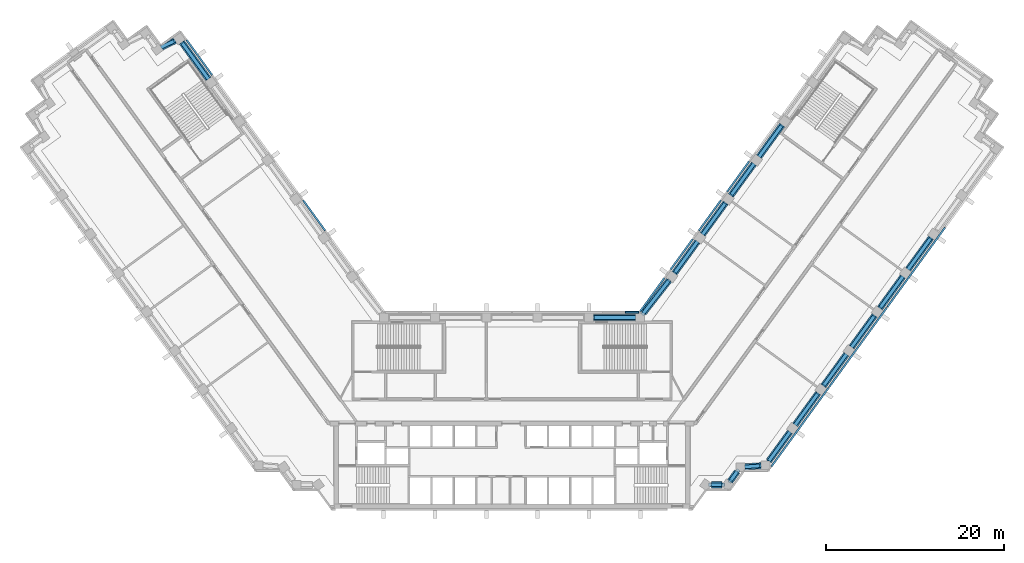
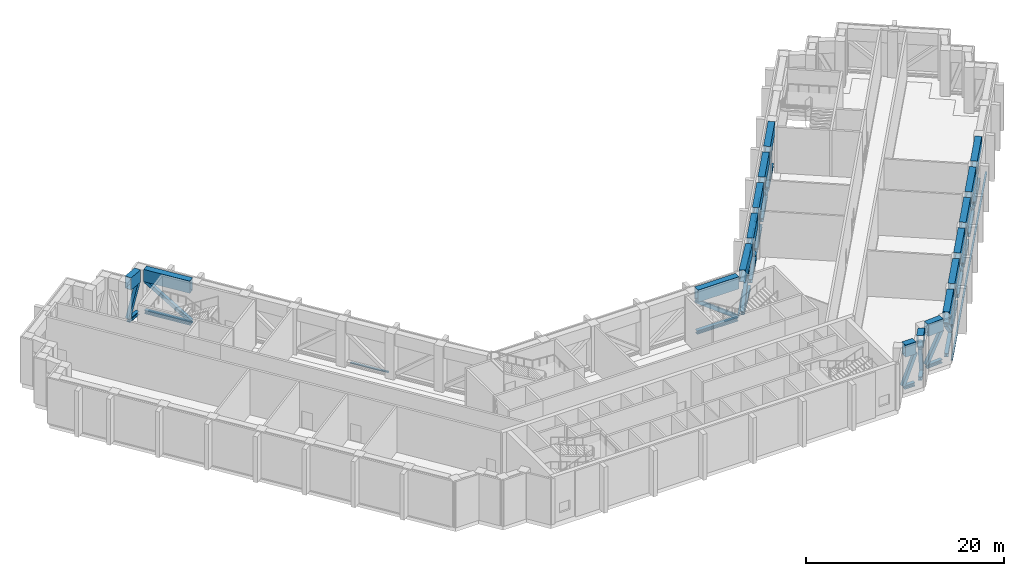
"""IFC4 building model written with IfcOpenShell, lengths in metres."""

from ifc_helpers import new_model, si_unit, direction, frame, origin, origin_2d, place, context, subcontext, project, spatial, rectangle, hollow_rectangle, i_section, extrude, material, material_profile, profile_set, type_object, element, aggregate, save


model = new_model("IFC4")

# Units and contexts
model_context = context("Model", 3, precision=1e-05, world=origin(), true_north=direction((0.0, 1.0)))
body_context = subcontext(model_context, "Body", "Model", "MODEL_VIEW")
ifc_project = project(units=[si_unit("LENGTHUNIT", "METRE"), si_unit("AREAUNIT", "SQUARE_METRE"), si_unit("VOLUMEUNIT", "CUBIC_METRE"), si_unit("PLANEANGLEUNIT", "RADIAN"), si_unit("MASSUNIT", "GRAM", prefix="KILO")], contexts=[model_context])

# Site, building, storey
site_placement = place(None, origin())
site = spatial("IfcSite", under=ifc_project, at=site_placement, CompositionType="ELEMENT")
building_placement = place(site_placement, origin())
building = spatial("IfcBuilding", under=site, at=building_placement, Name="Quipu Civic Tower", CompositionType="ELEMENT")
storey_1_placement = place(building_placement, frame((0.0, 0.0, 25.0)))
storey_1 = spatial("IfcBuildingStorey", under=building, at=storey_1_placement, Name="L05", CompositionType="ELEMENT", Elevation=25.0)

# Beams
ifc_material_1 = material(Name="Steel ASTM A992 Grade 50 (fy 345 MPa)", Category="steel")
ifc_material_profile_1 = material_profile(ifc_material_1, i_section(OverallWidth=0.41552734375, OverallDepth=0.445556640625, WebThickness=0.0390625, FlangeThickness=0.062744140625, at=origin_2d()), Name="W360x509")
ifc_profile_set_1 = profile_set([ifc_material_profile_1], Name="Steel ASTM A992 Grade 50 (fy 345 MPa)")
beam_type_1 = type_object("IfcBeamType", Name="Belt truss bottom chord W360x509", PredefinedType="BEAM", material=ifc_profile_set_1)
beam_1_placement = place(storey_1_placement, frame((-34.13671875, 37.32373046875, 0.32275390625), z_axis=(-0.587747065363, 0.809044737426, 0.0), x_axis=(-0.809044737426, -0.587747065363, 0.0)))
element("IfcBeam", 1, at=beam_1_placement, inside=storey_1, type_object=beam_type_1, Name="Truss bottom chord L05 W-IN-06 to T-Wi.0-W50", PredefinedType="BEAM", context=body_context, shape_type="SweptSolid", body=[
    extrude(i_section(OverallWidth=0.41552734375, OverallDepth=0.445556640625, WebThickness=0.0390625, FlangeThickness=0.062744140625, at=origin_2d()), origin(), (0.0, 0.0, 1.0), 5.0947265625),
])
beam_2_placement = place(storey_1_placement, frame((-37.8837890625, 41.630859375, 0.32275390625), z_axis=(-0.902482283387, -0.43072697637, 0.0), x_axis=(0.43072697637, -0.902482283387, 0.0)))
element("IfcBeam", 2, at=beam_2_placement, inside=storey_1, type_object=beam_type_1, Name="Truss bottom chord L05 T-Wi.0-W50 to T-Wi.1-W50", PredefinedType="BEAM", context=body_context, shape_type="SweptSolid", body=[
    extrude(i_section(OverallWidth=0.41552734375, OverallDepth=0.445556640625, WebThickness=0.0390625, FlangeThickness=0.062744140625, at=origin_2d()), origin(), (0.0, 0.0, 1.0), 1.731689453125),
])
beam_3_placement = place(storey_1_placement, frame((22.409912109375, -8.31494140625, 0.32275390625), z_axis=(1.0, 0.0, 0.0), x_axis=(0.0, 1.0, 0.0)))
element("IfcBeam", 3, at=beam_3_placement, inside=storey_1, type_object=beam_type_1, Name="Truss bottom chord L05 J-Eo.1 to J-Eo.2", PredefinedType="BEAM", context=body_context, shape_type="SweptSolid", body=[
    extrude(i_section(OverallWidth=0.41552734375, OverallDepth=0.445556640625, WebThickness=0.0390625, FlangeThickness=0.062744140625, at=origin_2d()), origin(), (0.0, 0.0, 1.0), 1.20703125),
])
beam_4_placement = place(storey_1_placement, frame((24.529296875, -7.91064453125, 0.32275390625), z_axis=(0.588346597772, 0.808608855313, 0.0), x_axis=(-0.808608855313, 0.588346597772, 0.0)))
element("IfcBeam", 4, at=beam_4_placement, inside=storey_1, type_object=beam_type_1, Name="Truss bottom chord L05 J-Eo.2 to J-Eo.3", PredefinedType="BEAM", context=body_context, shape_type="SweptSolid", body=[
    extrude(i_section(OverallWidth=0.41552734375, OverallDepth=0.445556640625, WebThickness=0.0390625, FlangeThickness=0.062744140625, at=origin_2d()), origin(), (0.0, 0.0, 1.0), 1.327880859375),
])
beam_5_placement = place(storey_1_placement, frame((26.17431640625, -6.30078125, 0.32275390625), z_axis=(0.997368412419, 0.072499999372, 0.0), x_axis=(-0.072499999372, 0.997368412419, 0.0)))
element("IfcBeam", 5, at=beam_5_placement, inside=storey_1, type_object=beam_type_1, Name="Truss bottom chord L05 J-Eo.3 to J-Eo.4", PredefinedType="BEAM", context=body_context, shape_type="SweptSolid", body=[
    extrude(i_section(OverallWidth=0.41552734375, OverallDepth=0.445556640625, WebThickness=0.0390625, FlangeThickness=0.062744140625, at=origin_2d()), origin(), (0.0, 0.0, 1.0), 1.85546875),
])
beam_6_placement = place(storey_1_placement, frame((28.88818359375, -5.6298828125, 0.32275390625), z_axis=(0.587811022966, 0.808998270258, 0.0), x_axis=(-0.808998270258, 0.587811022966, 0.0)))
element("IfcBeam", 6, at=beam_6_placement, inside=storey_1, type_object=beam_type_1, Name="Truss bottom chord L05 J-Eo.4 to E-OUT-01", PredefinedType="BEAM", context=body_context, shape_type="SweptSolid", body=[
    extrude(i_section(OverallWidth=0.41552734375, OverallDepth=0.445556640625, WebThickness=0.0390625, FlangeThickness=0.062744140625, at=origin_2d()), origin(), (0.0, 0.0, 1.0), 4.025390625),
])
for number, where, z_axis, x_axis, name in (
    (7, (31.84228515625, -1.564208984375, 0.32275390625), (0.587759228046, 0.809035901457, 0.0), (-0.809035901457, 0.587759228046, 0.0), "Truss bottom chord L05 E-OUT-01 to E-OUT-02"),
    (8, (35.01611328125, 2.804443359375, 0.32275390625), (0.587759228046, 0.809035901457, 0.0), (-0.809035901457, 0.587759228046, 0.0), "Truss bottom chord L05 E-OUT-02 to E-OUT-03"),
    (9, (38.190185546875, 7.173095703125, 0.32275390625), (0.58779554378, 0.809009517072, 0.0), (-0.809009517072, 0.58779554378, 0.0), "Truss bottom chord L05 E-OUT-03 to E-OUT-04"),
    (10, (41.3642578125, 11.5419921875, 0.32275390625), (0.587759228046, 0.809035901457, 0.0), (-0.809035901457, 0.587759228046, 0.0), "Truss bottom chord L05 E-OUT-04 to E-OUT-05"),
):
    element("IfcBeam", number, at=place(storey_1_placement, frame(where, z_axis=z_axis, x_axis=x_axis)), inside=storey_1, type_object=beam_type_1, Name=name, PredefinedType="BEAM", context=body_context, shape_type="SweptSolid", body=[
        extrude(i_section(OverallWidth=0.41552734375, OverallDepth=0.445556640625, WebThickness=0.0390625, FlangeThickness=0.062744140625, at=origin_2d()), origin(), (0.0, 0.0, 1.0), 4.400146484375),
    ])
beam_7_placement = place(storey_1_placement, frame((44.538330078125, 15.91064453125, 0.32275390625), z_axis=(0.587785613349, 0.809016732052, 0.0), x_axis=(-0.809016732052, 0.587785613349, 0.0)))
element("IfcBeam", 11, at=beam_7_placement, inside=storey_1, type_object=beam_type_1, Name="Truss bottom chord L05 E-OUT-05 to E-OUT-06", PredefinedType="BEAM", context=body_context, shape_type="SweptSolid", body=[
    extrude(i_section(OverallWidth=0.41552734375, OverallDepth=0.445556640625, WebThickness=0.0390625, FlangeThickness=0.062744140625, at=origin_2d()), origin(), (0.0, 0.0, 1.0), 4.39990234375),
])
for number, where, z_axis, x_axis, name in (
    (12, (30.375244140625, 32.145751953125, 0.32275390625), (-0.587759228046, -0.809035901457, 0.0), (0.809035901457, -0.587759228046, 0.0), "Truss bottom chord L05 E-IN-05 to E-IN-04"),
    (13, (27.201416015625, 27.777099609375, 0.32275390625), (-0.587732844487, -0.809055068281, 0.0), (0.809055068281, -0.587732844487, 0.0), "Truss bottom chord L05 E-IN-04 to E-IN-03"),
    (14, (24.02734375, 23.408203125, 0.32275390625), (-0.587759228046, -0.809035901457, 0.0), (0.809035901457, -0.587759228046, 0.0), "Truss bottom chord L05 E-IN-03 to E-IN-02"),
):
    element("IfcBeam", number, at=place(storey_1_placement, frame(where, z_axis=z_axis, x_axis=x_axis)), inside=storey_1, type_object=beam_type_1, Name=name, PredefinedType="BEAM", context=body_context, shape_type="SweptSolid", body=[
        extrude(i_section(OverallWidth=0.41552734375, OverallDepth=0.445556640625, WebThickness=0.0390625, FlangeThickness=0.062744140625, at=origin_2d()), origin(), (0.0, 0.0, 1.0), 4.400146484375),
    ])
beam_8_placement = place(storey_1_placement, frame((20.853515625, 19.039306640625, 0.32275390625), z_axis=(-0.587722908759, -0.809062285934, 0.0), x_axis=(0.809062285934, -0.587722908759, 0.0)))
element("IfcBeam", 15, at=beam_8_placement, inside=storey_1, type_object=beam_type_1, Name="Truss bottom chord L05 E-IN-02 to E-IN-01", PredefinedType="BEAM", context=body_context, shape_type="SweptSolid", body=[
    extrude(i_section(OverallWidth=0.41552734375, OverallDepth=0.445556640625, WebThickness=0.0390625, FlangeThickness=0.062744140625, at=origin_2d()), origin(), (0.0, 0.0, 1.0), 4.39990234375),
])
beam_9_placement = place(storey_1_placement, frame((17.665283203125, 14.680908203125, 0.32275390625), z_axis=(-0.616068753057, -0.787692383806, 0.0), x_axis=(0.787692383806, -0.616068753057, 0.0)))
element("IfcBeam", 16, at=beam_9_placement, inside=storey_1, type_object=beam_type_1, Name="Truss bottom chord L05 E-IN-01 to J-Ei.0", PredefinedType="BEAM", context=body_context, shape_type="SweptSolid", body=[
    extrude(i_section(OverallWidth=0.41552734375, OverallDepth=0.445556640625, WebThickness=0.0390625, FlangeThickness=0.062744140625, at=origin_2d()), origin(), (0.0, 0.0, 1.0), 4.673095703125),
])
beam_10_placement = place(storey_1_placement, frame((13.895263671875, 10.5, 0.32275390625), z_axis=(-1.0, 0.0, 0.0), x_axis=(0.0, -1.0, 0.0)))
element("IfcBeam", 17, at=beam_10_placement, inside=storey_1, type_object=beam_type_1, Name="Truss bottom chord L05 J-Ei.0 to FRONT-01", PredefinedType="BEAM", context=body_context, shape_type="SweptSolid", body=[
    extrude(i_section(OverallWidth=0.41552734375, OverallDepth=0.445556640625, WebThickness=0.0390625, FlangeThickness=0.062744140625, at=origin_2d()), origin(), (0.0, 0.0, 1.0), 4.758056640625),
])

# Members
ifc_material_2 = material(Name="Steel ASTM A500 Grade C (fy 345 MPa)", Category="steel")
ifc_material_profile_2 = material_profile(ifc_material_2, hollow_rectangle(XDim=0.406494140625, YDim=0.406494140625, WallThickness=0.015869140625, at=origin_2d()), Name="HSS406x406x16")
ifc_profile_set_2 = profile_set([ifc_material_profile_2], Name="Steel ASTM A500 Grade C (fy 345 MPa)")
member_type_1 = type_object("IfcMemberType", Name="Belt truss diagonal HSS406x406x16", PredefinedType="BRACE", material=ifc_profile_set_2)
member_1_placement = place(storey_1_placement, frame((-34.13671875, 37.32373046875, 0.54541015625), z_axis=(-0.479804326174, 0.660459554733, 0.577564702131), x_axis=(-0.809044737426, -0.587747065363, 0.0)))
element("IfcMember", 18, at=member_1_placement, inside=storey_1, type_object=member_type_1, Name="Truss diagonal L05 W-IN-06 to T-Wi.0-W50", PredefinedType="BRACE", context=body_context, shape_type="SweptSolid", body=[
    extrude(hollow_rectangle(XDim=0.406494140625, YDim=0.406494140625, WallThickness=0.015869140625, at=origin_2d()), origin(), (0.0, 0.0, 1.0), 6.240966796875),
])
member_2_placement = place(storey_1_placement, frame((-37.876220703125, 41.634521484375, 4.14990234375), z_axis=(-0.39391484611, -0.187999272935, -0.899715159031), x_axis=(0.430719248518, -0.902485971612, 0.0)))
element("IfcMember", 19, at=member_2_placement, inside=storey_1, type_object=member_type_1, Name="Truss diagonal L05 T-Wi.0-W50 to T-Wi.1-W50", PredefinedType="BRACE", context=body_context, shape_type="SweptSolid", body=[
    extrude(hollow_rectangle(XDim=0.406494140625, YDim=0.406494140625, WallThickness=0.015869140625, at=origin_2d()), origin(), (0.0, 0.0, 1.0), 4.00634765625),
])
member_3_placement = place(storey_1_placement, frame((22.291748046875, -8.31494140625, 0.54541015625), z_axis=(0.371737566174, 0.0, 0.928337859777), x_axis=(0.0, 1.0, 0.0)))
element("IfcMember", 20, at=member_3_placement, inside=storey_1, type_object=member_type_1, Name="Truss diagonal L05 J-Eo.1 to J-Eo.2", PredefinedType="BRACE", context=body_context, shape_type="SweptSolid", body=[
    extrude(hollow_rectangle(XDim=0.406494140625, YDim=0.406494140625, WallThickness=0.015869140625, at=origin_2d()), origin(), (0.0, 0.0, 1.0), 3.8828125),
])
member_4_placement = place(storey_1_placement, frame((24.529296875, -7.91064453125, 4.14990234375), z_axis=(0.219071923858, 0.301106030209, -0.928085475993), x_axis=(-0.808626568298, 0.588322252718, 0.0)))
element("IfcMember", 21, at=member_4_placement, inside=storey_1, type_object=member_type_1, Name="Truss diagonal L05 J-Eo.2 to J-Eo.3", PredefinedType="BRACE", context=body_context, shape_type="SweptSolid", body=[
    extrude(hollow_rectangle(XDim=0.406494140625, YDim=0.406494140625, WallThickness=0.015869140625, at=origin_2d()), origin(), (0.0, 0.0, 1.0), 3.8837890625),
])
member_5_placement = place(storey_1_placement, frame((26.173095703125, -6.30078125, 0.54541015625), z_axis=(0.457005168951, 0.033172157567, 0.88884525285), x_axis=(-0.072395491772, 0.997376003707, 0.0)))
element("IfcMember", 22, at=member_5_placement, inside=storey_1, type_object=member_type_1, Name="Truss diagonal L05 J-Eo.3 to J-Eo.4", PredefinedType="BRACE", context=body_context, shape_type="SweptSolid", body=[
    extrude(hollow_rectangle(XDim=0.406494140625, YDim=0.406494140625, WallThickness=0.015869140625, at=origin_2d()), origin(), (0.0, 0.0, 1.0), 4.05517578125),
])
member_6_placement = place(storey_1_placement, frame((28.81884765625, -5.7255859375, 4.14990234375), z_axis=(0.443471241581, 0.61039531056, -0.656316099709), x_axis=(-0.809021349778, 0.587779257548, 0.0)))
element("IfcMember", 23, at=member_6_placement, inside=storey_1, type_object=member_type_1, Name="Truss diagonal L05 J-Eo.4 to E-OUT-01", PredefinedType="BRACE", context=body_context, shape_type="SweptSolid", body=[
    extrude(hollow_rectangle(XDim=0.406494140625, YDim=0.406494140625, WallThickness=0.015869140625, at=origin_2d()), origin(), (0.0, 0.0, 1.0), 5.491943359375),
])
for number, where, z_axis, x_axis, name in (
    (24, (31.84228515625, -1.564208984375, 0.54541015625), (0.454675853554, 0.62584995947, 0.633704739155), (-0.809035901457, 0.587759228046, 0.0), "Truss diagonal L05 E-OUT-01 to E-OUT-02"),
    (25, (35.01611328125, 2.804443359375, 4.14990234375), (0.454675853554, 0.62584995947, -0.633704739155), (-0.809035901457, 0.587759228046, 0.0), "Truss diagonal L05 E-OUT-02 to E-OUT-03"),
    (26, (38.190185546875, 7.173095703125, 0.54541015625), (0.454709901519, 0.625837745332, 0.633692371722), (-0.809009517072, 0.58779554378, 0.0), "Truss diagonal L05 E-OUT-03 to E-OUT-04"),
    (27, (41.3642578125, 11.5419921875, 4.14990234375), (0.454675853554, 0.62584995947, -0.633704739155), (-0.809035901457, 0.587759228046, 0.0), "Truss diagonal L05 E-OUT-04 to E-OUT-05"),
):
    element("IfcMember", number, at=place(storey_1_placement, frame(where, z_axis=z_axis, x_axis=x_axis)), inside=storey_1, type_object=member_type_1, Name=name, PredefinedType="BRACE", context=body_context, shape_type="SweptSolid", body=[
        extrude(hollow_rectangle(XDim=0.406494140625, YDim=0.406494140625, WallThickness=0.015869140625, at=origin_2d()), origin(), (0.0, 0.0, 1.0), 5.68798828125),
    ])
member_7_placement = place(storey_1_placement, frame((44.538330078125, 15.91064453125, 0.54541015625), z_axis=(0.454688067546, 0.625823848279, 0.633721762414), x_axis=(-0.809016732052, 0.587785613349, 0.0)))
element("IfcMember", 28, at=member_7_placement, inside=storey_1, type_object=member_type_1, Name="Truss diagonal L05 E-OUT-05 to E-OUT-06", PredefinedType="BRACE", context=body_context, shape_type="SweptSolid", body=[
    extrude(hollow_rectangle(XDim=0.406494140625, YDim=0.406494140625, WallThickness=0.015869140625, at=origin_2d()), origin(), (0.0, 0.0, 1.0), 5.687744140625),
])
member_8_placement = place(storey_1_placement, frame((30.375244140625, 32.145751953125, 4.14990234375), z_axis=(-0.454675853554, -0.62584995947, -0.633704739155), x_axis=(0.809035901457, -0.587759228046, 0.0)))
element("IfcMember", 29, at=member_8_placement, inside=storey_1, type_object=member_type_1, Name="Truss diagonal L05 E-IN-05 to E-IN-04", PredefinedType="BRACE", context=body_context, shape_type="SweptSolid", body=[
    extrude(hollow_rectangle(XDim=0.406494140625, YDim=0.406494140625, WallThickness=0.015869140625, at=origin_2d()), origin(), (0.0, 0.0, 1.0), 5.68798828125),
])
member_9_placement = place(storey_1_placement, frame((27.201416015625, 27.777099609375, 0.54541015625), z_axis=(-0.454663639708, -0.625876068557, 0.6336877161), x_axis=(0.809055068281, -0.587732844487, 0.0)))
element("IfcMember", 30, at=member_9_placement, inside=storey_1, type_object=member_type_1, Name="Truss diagonal L05 E-IN-04 to E-IN-03", PredefinedType="BRACE", context=body_context, shape_type="SweptSolid", body=[
    extrude(hollow_rectangle(XDim=0.406494140625, YDim=0.406494140625, WallThickness=0.015869140625, at=origin_2d()), origin(), (0.0, 0.0, 1.0), 5.688232421875),
])
member_10_placement = place(storey_1_placement, frame((24.02734375, 23.408203125, 4.14990234375), z_axis=(-0.454675853554, -0.62584995947, -0.633704739155), x_axis=(0.809035901457, -0.587759228046, 0.0)))
element("IfcMember", 31, at=member_10_placement, inside=storey_1, type_object=member_type_1, Name="Truss diagonal L05 E-IN-03 to E-IN-02", PredefinedType="BRACE", context=body_context, shape_type="SweptSolid", body=[
    extrude(hollow_rectangle(XDim=0.406494140625, YDim=0.406494140625, WallThickness=0.015869140625, at=origin_2d()), origin(), (0.0, 0.0, 1.0), 5.68798828125),
])
member_11_placement = place(storey_1_placement, frame((20.853515625, 19.039306640625, 0.54541015625), z_axis=(-0.454641803595, -0.62586217317, 0.633717106144), x_axis=(0.809062285934, -0.587722908759, 0.0)))
element("IfcMember", 32, at=member_11_placement, inside=storey_1, type_object=member_type_1, Name="Truss diagonal L05 E-IN-02 to E-IN-01", PredefinedType="BRACE", context=body_context, shape_type="SweptSolid", body=[
    extrude(hollow_rectangle(XDim=0.406494140625, YDim=0.406494140625, WallThickness=0.015869140625, at=origin_2d()), origin(), (0.0, 0.0, 1.0), 5.687744140625),
])
member_12_placement = place(storey_1_placement, frame((17.66552734375, 14.68115234375, 4.14990234375), z_axis=(-0.49296585513, -0.630243885828, -0.599814396336), x_axis=(0.787667833493, -0.616100141276, 0.0)))
element("IfcMember", 33, at=member_12_placement, inside=storey_1, type_object=member_type_1, Name="Truss diagonal L05 E-IN-01 to J-Ei.0", PredefinedType="BRACE", context=body_context, shape_type="SweptSolid", body=[
    extrude(hollow_rectangle(XDim=0.406494140625, YDim=0.406494140625, WallThickness=0.015869140625, at=origin_2d()), origin(), (0.0, 0.0, 1.0), 6.00927734375),
])
member_13_placement = place(storey_1_placement, frame((13.895263671875, 10.5, 0.54541015625), z_axis=(-0.797099903337, 0.0, 0.603847451017), x_axis=(0.0, -1.0, 0.0)))
element("IfcMember", 34, at=member_13_placement, inside=storey_1, type_object=member_type_1, Name="Truss diagonal L05 J-Ei.0 to FRONT-01", PredefinedType="BRACE", context=body_context, shape_type="SweptSolid", body=[
    extrude(hollow_rectangle(XDim=0.406494140625, YDim=0.406494140625, WallThickness=0.015869140625, at=origin_2d()), origin(), (0.0, 0.0, 1.0), 5.96923828125),
])

# Beams
ifc_material_3 = material(Name="Steel ASTM A572 Grade 50 (fy 345 MPa)", Category="steel")
ifc_material_profile_3 = material_profile(ifc_material_3, hollow_rectangle(XDim=0.699951171875, YDim=1.5, WallThickness=0.050048828125, at=origin_2d()), Name="BX1500x700x50")
ifc_profile_set_3 = profile_set([ifc_material_profile_3], Name="Steel ASTM A572 Grade 50 (fy 345 MPa)")
beam_type_2 = type_object("IfcBeamType", Name="Belt truss top chord BX1500x700x50", PredefinedType="BEAM", material=ifc_profile_set_3)
beam_11_placement = place(storey_1_placement, frame((-34.13671875, 37.32373046875, 4.89990234375), z_axis=(-0.587747065363, 0.809044737426, 0.0), x_axis=(-0.809044737426, -0.587747065363, 0.0)))
element("IfcBeam", 35, at=beam_11_placement, inside=storey_1, type_object=beam_type_2, Name="Truss top chord L05 W-IN-06 to T-Wi.0-W50", PredefinedType="BEAM", context=body_context, shape_type="SweptSolid", body=[
    extrude(hollow_rectangle(XDim=0.699951171875, YDim=1.5, WallThickness=0.050048828125, at=origin_2d()), origin(), (0.0, 0.0, 1.0), 5.0947265625),
])
beam_12_placement = place(storey_1_placement, frame((-37.8837890625, 41.630859375, 4.89990234375), z_axis=(-0.902482283387, -0.43072697637, 0.0), x_axis=(0.43072697637, -0.902482283387, 0.0)))
element("IfcBeam", 36, at=beam_12_placement, inside=storey_1, type_object=beam_type_2, Name="Truss top chord L05 T-Wi.0-W50 to T-Wi.1-W50", PredefinedType="BEAM", context=body_context, shape_type="SweptSolid", body=[
    extrude(hollow_rectangle(XDim=0.699951171875, YDim=1.5, WallThickness=0.050048828125, at=origin_2d()), origin(), (0.0, 0.0, 1.0), 1.731689453125),
])
beam_13_placement = place(storey_1_placement, frame((22.409912109375, -8.31494140625, 4.89990234375), z_axis=(1.0, 0.0, 0.0), x_axis=(0.0, 1.0, 0.0)))
element("IfcBeam", 37, at=beam_13_placement, inside=storey_1, type_object=beam_type_2, Name="Truss top chord L05 J-Eo.1 to J-Eo.2", PredefinedType="BEAM", context=body_context, shape_type="SweptSolid", body=[
    extrude(hollow_rectangle(XDim=0.699951171875, YDim=1.5, WallThickness=0.050048828125, at=origin_2d()), origin(), (0.0, 0.0, 1.0), 1.20703125),
])
beam_14_placement = place(storey_1_placement, frame((24.529296875, -7.91064453125, 4.89990234375), z_axis=(0.588346597772, 0.808608855313, 0.0), x_axis=(-0.808608855313, 0.588346597772, 0.0)))
element("IfcBeam", 38, at=beam_14_placement, inside=storey_1, type_object=beam_type_2, Name="Truss top chord L05 J-Eo.2 to J-Eo.3", PredefinedType="BEAM", context=body_context, shape_type="SweptSolid", body=[
    extrude(hollow_rectangle(XDim=0.699951171875, YDim=1.5, WallThickness=0.050048828125, at=origin_2d()), origin(), (0.0, 0.0, 1.0), 1.327880859375),
])
beam_15_placement = place(storey_1_placement, frame((26.17431640625, -6.30078125, 4.89990234375), z_axis=(0.997368412419, 0.072499999372, 0.0), x_axis=(-0.072499999372, 0.997368412419, 0.0)))
element("IfcBeam", 39, at=beam_15_placement, inside=storey_1, type_object=beam_type_2, Name="Truss top chord L05 J-Eo.3 to J-Eo.4", PredefinedType="BEAM", context=body_context, shape_type="SweptSolid", body=[
    extrude(hollow_rectangle(XDim=0.699951171875, YDim=1.5, WallThickness=0.050048828125, at=origin_2d()), origin(), (0.0, 0.0, 1.0), 1.85546875),
])
beam_16_placement = place(storey_1_placement, frame((28.88818359375, -5.6298828125, 4.89990234375), z_axis=(0.587811022966, 0.808998270258, 0.0), x_axis=(-0.808998270258, 0.587811022966, 0.0)))
element("IfcBeam", 40, at=beam_16_placement, inside=storey_1, type_object=beam_type_2, Name="Truss top chord L05 J-Eo.4 to E-OUT-01", PredefinedType="BEAM", context=body_context, shape_type="SweptSolid", body=[
    extrude(hollow_rectangle(XDim=0.699951171875, YDim=1.5, WallThickness=0.050048828125, at=origin_2d()), origin(), (0.0, 0.0, 1.0), 4.025390625),
])
for number, where, z_axis, x_axis, name in (
    (41, (31.84228515625, -1.564208984375, 4.89990234375), (0.587759228046, 0.809035901457, 0.0), (-0.809035901457, 0.587759228046, 0.0), "Truss top chord L05 E-OUT-01 to E-OUT-02"),
    (42, (35.01611328125, 2.804443359375, 4.89990234375), (0.587759228046, 0.809035901457, 0.0), (-0.809035901457, 0.587759228046, 0.0), "Truss top chord L05 E-OUT-02 to E-OUT-03"),
    (43, (38.190185546875, 7.173095703125, 4.89990234375), (0.58779554378, 0.809009517072, 0.0), (-0.809009517072, 0.58779554378, 0.0), "Truss top chord L05 E-OUT-03 to E-OUT-04"),
    (44, (41.3642578125, 11.5419921875, 4.89990234375), (0.587759228046, 0.809035901457, 0.0), (-0.809035901457, 0.587759228046, 0.0), "Truss top chord L05 E-OUT-04 to E-OUT-05"),
):
    element("IfcBeam", number, at=place(storey_1_placement, frame(where, z_axis=z_axis, x_axis=x_axis)), inside=storey_1, type_object=beam_type_2, Name=name, PredefinedType="BEAM", context=body_context, shape_type="SweptSolid", body=[
        extrude(hollow_rectangle(XDim=0.699951171875, YDim=1.5, WallThickness=0.050048828125, at=origin_2d()), origin(), (0.0, 0.0, 1.0), 4.400146484375),
    ])
beam_17_placement = place(storey_1_placement, frame((44.538330078125, 15.91064453125, 4.89990234375), z_axis=(0.587785613349, 0.809016732052, 0.0), x_axis=(-0.809016732052, 0.587785613349, 0.0)))
element("IfcBeam", 45, at=beam_17_placement, inside=storey_1, type_object=beam_type_2, Name="Truss top chord L05 E-OUT-05 to E-OUT-06", PredefinedType="BEAM", context=body_context, shape_type="SweptSolid", body=[
    extrude(hollow_rectangle(XDim=0.699951171875, YDim=1.5, WallThickness=0.050048828125, at=origin_2d()), origin(), (0.0, 0.0, 1.0), 4.39990234375),
])
for number, where, z_axis, x_axis, name in (
    (46, (30.375244140625, 32.145751953125, 4.89990234375), (-0.587759228046, -0.809035901457, 0.0), (0.809035901457, -0.587759228046, 0.0), "Truss top chord L05 E-IN-05 to E-IN-04"),
    (47, (27.201416015625, 27.777099609375, 4.89990234375), (-0.587732844487, -0.809055068281, 0.0), (0.809055068281, -0.587732844487, 0.0), "Truss top chord L05 E-IN-04 to E-IN-03"),
    (48, (24.02734375, 23.408203125, 4.89990234375), (-0.587759228046, -0.809035901457, 0.0), (0.809035901457, -0.587759228046, 0.0), "Truss top chord L05 E-IN-03 to E-IN-02"),
):
    element("IfcBeam", number, at=place(storey_1_placement, frame(where, z_axis=z_axis, x_axis=x_axis)), inside=storey_1, type_object=beam_type_2, Name=name, PredefinedType="BEAM", context=body_context, shape_type="SweptSolid", body=[
        extrude(hollow_rectangle(XDim=0.699951171875, YDim=1.5, WallThickness=0.050048828125, at=origin_2d()), origin(), (0.0, 0.0, 1.0), 4.400146484375),
    ])
beam_18_placement = place(storey_1_placement, frame((20.853515625, 19.039306640625, 4.89990234375), z_axis=(-0.587722908759, -0.809062285934, 0.0), x_axis=(0.809062285934, -0.587722908759, 0.0)))
element("IfcBeam", 49, at=beam_18_placement, inside=storey_1, type_object=beam_type_2, Name="Truss top chord L05 E-IN-02 to E-IN-01", PredefinedType="BEAM", context=body_context, shape_type="SweptSolid", body=[
    extrude(hollow_rectangle(XDim=0.699951171875, YDim=1.5, WallThickness=0.050048828125, at=origin_2d()), origin(), (0.0, 0.0, 1.0), 4.39990234375),
])
beam_19_placement = place(storey_1_placement, frame((17.665283203125, 14.680908203125, 4.89990234375), z_axis=(-0.616068753057, -0.787692383806, 0.0), x_axis=(0.787692383806, -0.616068753057, 0.0)))
element("IfcBeam", 50, at=beam_19_placement, inside=storey_1, type_object=beam_type_2, Name="Truss top chord L05 E-IN-01 to J-Ei.0", PredefinedType="BEAM", context=body_context, shape_type="SweptSolid", body=[
    extrude(hollow_rectangle(XDim=0.699951171875, YDim=1.5, WallThickness=0.050048828125, at=origin_2d()), origin(), (0.0, 0.0, 1.0), 4.673095703125),
])
beam_20_placement = place(storey_1_placement, frame((13.895263671875, 10.5, 4.89990234375), z_axis=(-1.0, 0.0, 0.0), x_axis=(0.0, -1.0, 0.0)))
element("IfcBeam", 51, at=beam_20_placement, inside=storey_1, type_object=beam_type_2, Name="Truss top chord L05 J-Ei.0 to FRONT-01", PredefinedType="BEAM", context=body_context, shape_type="SweptSolid", body=[
    extrude(hollow_rectangle(XDim=0.699951171875, YDim=1.5, WallThickness=0.050048828125, at=origin_2d()), origin(), (0.0, 0.0, 1.0), 4.758056640625),
])

# Storey
storey_2_placement = place(building_placement, frame((0.0, 0.0, 16.0)))
storey_2 = spatial("IfcBuildingStorey", under=building, at=storey_2_placement, Name="L03", CompositionType="ELEMENT", Elevation=16.0)

# Curtain wall, member
ifc_material_4 = material(Name="Insulated glass unit", Category="glass")
curtain_wall_type = type_object("IfcCurtainWallType", Name="Public services curtain wall CW3", PredefinedType="NOTDEFINED", material=ifc_material_4)
curtain_wall_1_placement = place(storey_2_placement, origin())
curtain_wall_1 = element("IfcCurtainWall", 52, at=curtain_wall_1_placement, inside=storey_2, type_object=curtain_wall_type, Name="Public services curtain wall CW3 L02 run 3", PredefinedType="NOTDEFINED")
ifc_material_5 = material(Name="Anodised aluminium", Category="aluminium")
ifc_material_profile_4 = material_profile(ifc_material_5, rectangle(XDim=0.199951171875, YDim=0.139892578125, at=origin_2d()), Name="RECT 200x140")
ifc_profile_set_4 = profile_set([ifc_material_profile_4], Name="Anodised aluminium")
member_type_2 = type_object("IfcMemberType", Name="Transom CW3", PredefinedType="USERDEFINED", material=ifc_profile_set_4)
member_14_placement = place(storey_1_placement, frame((-21.01513671875, 20.281494140625, 0.0), z_axis=(-0.587746486169, 0.809045158194, 0.0), x_axis=(-0.809045158194, -0.587746486169, 0.0)))
member_14 = element("IfcMember", 53, at=member_14_placement, inside=storey_1, type_object=member_type_2, Name="CW3 transom 1.4", ObjectType="TRANSOM", PredefinedType="USERDEFINED", context=body_context, shape_type="SweptSolid", body=[
    extrude(rectangle(XDim=0.199951171875, YDim=0.139892578125, at=origin_2d()), origin(), (0.0, 0.0, 1.0), 4.199951171875),
])
aggregate(curtain_wall_1, [member_14])

curtain_wall_2_placement = place(storey_2_placement, origin())
curtain_wall_2 = element("IfcCurtainWall", 54, at=curtain_wall_2_placement, inside=storey_2, type_object=curtain_wall_type, Name="Public services curtain wall CW3 L02 run 7", PredefinedType="NOTDEFINED")
member_15_placement = place(storey_1_placement, frame((-33.711181640625, 37.756591796875, 0.0), z_axis=(-0.587792001702, 0.809012090599, 0.0), x_axis=(-0.809012090599, -0.587792001702, 0.0)))
member_15 = element("IfcMember", 55, at=member_15_placement, inside=storey_1, type_object=member_type_2, Name="CW3 transom 1.4", ObjectType="TRANSOM", PredefinedType="USERDEFINED", context=body_context, shape_type="SweptSolid", body=[
    extrude(rectangle(XDim=0.199951171875, YDim=0.139892578125, at=origin_2d()), origin(), (0.0, 0.0, 1.0), 4.89453125),
])
aggregate(curtain_wall_2, [member_15])

# Curtain wall, members
curtain_wall_3_placement = place(storey_2_placement, origin())
curtain_wall_3 = element("IfcCurtainWall", 56, at=curtain_wall_3_placement, inside=storey_2, type_object=curtain_wall_type, Name="Public services curtain wall CW3 L02 run 32", PredefinedType="NOTDEFINED")
member_16_placement = place(storey_1_placement, frame((29.164794921875, -6.2705078125, 0.0), z_axis=(0.587772046886, 0.8090265885, 0.0), x_axis=(-0.8090265885, 0.587772046886, 0.0)))
member_16 = element("IfcMember", 57, at=member_16_placement, inside=storey_1, type_object=member_type_2, Name="CW3 transom 1.4", ObjectType="TRANSOM", PredefinedType="USERDEFINED", context=body_context, shape_type="SweptSolid", body=[
    extrude(rectangle(XDim=0.199951171875, YDim=0.139892578125, at=origin_2d()), origin(), (0.0, 0.0, 1.0), 10.971435546875),
])
member_17_placement = place(storey_1_placement, frame((35.67236328125, 2.6865234375, 0.0), z_axis=(0.587777818391, 0.809022395368, 0.0), x_axis=(-0.809022395368, 0.587777818391, 0.0)))
member_17 = element("IfcMember", 58, at=member_17_placement, inside=storey_1, type_object=member_type_2, Name="CW3 transom 2.4", ObjectType="TRANSOM", PredefinedType="USERDEFINED", context=body_context, shape_type="SweptSolid", body=[
    extrude(rectangle(XDim=0.199951171875, YDim=0.139892578125, at=origin_2d()), origin(), (0.0, 0.0, 1.0), 11.021728515625),
])
member_18_placement = place(storey_1_placement, frame((42.20947265625, 11.68408203125, 0.0), z_axis=(0.587788351912, 0.80901474236, 0.0), x_axis=(-0.80901474236, 0.587788351912, 0.0)))
member_18 = element("IfcMember", 59, at=member_18_placement, inside=storey_1, type_object=member_type_2, Name="CW3 transom 3.4", ObjectType="TRANSOM", PredefinedType="USERDEFINED", context=body_context, shape_type="SweptSolid", body=[
    extrude(rectangle(XDim=0.199951171875, YDim=0.139892578125, at=origin_2d()), origin(), (0.0, 0.0, 1.0), 11.021484375),
])
aggregate(curtain_wall_3, [member_16, member_17, member_18])

# Curtain wall, member
curtain_wall_4_placement = place(storey_2_placement, origin())
curtain_wall_4 = element("IfcCurtainWall", 60, at=curtain_wall_4_placement, inside=storey_2, type_object=curtain_wall_type, Name="Public services curtain wall CW3 L02 run 46", PredefinedType="NOTDEFINED")
member_19_placement = place(storey_1_placement, frame((26.65771484375, 28.048095703125, 0.0), z_axis=(-0.587812175236, -0.808997433027, 0.0), x_axis=(0.808997433027, -0.587812175236, 0.0)))
member_19 = element("IfcMember", 61, at=member_19_placement, inside=storey_1, type_object=member_type_2, Name="CW3 transom 1.4", ObjectType="TRANSOM", PredefinedType="USERDEFINED", context=body_context, shape_type="SweptSolid", body=[
    extrude(rectangle(XDim=0.199951171875, YDim=0.139892578125, at=origin_2d()), origin(), (0.0, 0.0, 1.0), 4.199951171875),
])
aggregate(curtain_wall_4, [member_19])

curtain_wall_5_placement = place(storey_2_placement, origin())
curtain_wall_5 = element("IfcCurtainWall", 62, at=curtain_wall_5_placement, inside=storey_2, type_object=curtain_wall_type, Name="Public services curtain wall CW3 L02 run 47", PredefinedType="NOTDEFINED")
member_20_placement = place(storey_1_placement, frame((23.483642578125, 23.679443359375, 0.0), z_axis=(-0.587746486169, -0.809045158194, 0.0), x_axis=(0.809045158194, -0.587746486169, 0.0)))
member_20 = element("IfcMember", 63, at=member_20_placement, inside=storey_1, type_object=member_type_2, Name="CW3 transom 1.4", ObjectType="TRANSOM", PredefinedType="USERDEFINED", context=body_context, shape_type="SweptSolid", body=[
    extrude(rectangle(XDim=0.199951171875, YDim=0.139892578125, at=origin_2d()), origin(), (0.0, 0.0, 1.0), 4.199951171875),
])
aggregate(curtain_wall_5, [member_20])

curtain_wall_6_placement = place(storey_2_placement, origin())
curtain_wall_6 = element("IfcCurtainWall", 64, at=curtain_wall_6_placement, inside=storey_2, type_object=curtain_wall_type, Name="Public services curtain wall CW3 L02 run 48", PredefinedType="NOTDEFINED")
member_21_placement = place(storey_1_placement, frame((20.309814453125, 19.310791015625, 0.0), z_axis=(-0.587812175236, -0.808997433027, 0.0), x_axis=(0.808997433027, -0.587812175236, 0.0)))
member_21 = element("IfcMember", 65, at=member_21_placement, inside=storey_1, type_object=member_type_2, Name="CW3 transom 1.4", ObjectType="TRANSOM", PredefinedType="USERDEFINED", context=body_context, shape_type="SweptSolid", body=[
    extrude(rectangle(XDim=0.199951171875, YDim=0.139892578125, at=origin_2d()), origin(), (0.0, 0.0, 1.0), 4.199951171875),
])
aggregate(curtain_wall_6, [member_21])

curtain_wall_7_placement = place(storey_2_placement, origin())
curtain_wall_7 = element("IfcCurtainWall", 66, at=curtain_wall_7_placement, inside=storey_2, type_object=curtain_wall_type, Name="Public services curtain wall CW3 L02 run 49", PredefinedType="NOTDEFINED")
member_22_placement = place(storey_1_placement, frame((17.1357421875, 14.942138671875, 0.0), z_axis=(-0.587781327652, -0.809019845779, 0.0), x_axis=(0.809019845779, -0.587781327652, 0.0)))
member_22 = element("IfcMember", 67, at=member_22_placement, inside=storey_1, type_object=member_type_2, Name="CW3 transom 1.4", ObjectType="TRANSOM", PredefinedType="USERDEFINED", context=body_context, shape_type="SweptSolid", body=[
    extrude(rectangle(XDim=0.199951171875, YDim=0.139892578125, at=origin_2d()), origin(), (0.0, 0.0, 1.0), 4.649169921875),
])
aggregate(curtain_wall_7, [member_22])

curtain_wall_8_placement = place(storey_2_placement, origin())
curtain_wall_8 = element("IfcCurtainWall", 68, at=curtain_wall_8_placement, inside=storey_2, type_object=curtain_wall_type, Name="Public services curtain wall CW3 L02 run 50", PredefinedType="NOTDEFINED")
member_23_placement = place(storey_1_placement, frame((14.244140625, 11.10009765625, 0.0), z_axis=(-1.0, 0.0, 0.0), x_axis=(0.0, -1.0, 0.0)))
member_23 = element("IfcMember", 69, at=member_23_placement, inside=storey_1, type_object=member_type_2, Name="CW3 transom 1.4", ObjectType="TRANSOM", PredefinedType="USERDEFINED", context=body_context, shape_type="SweptSolid", body=[
    extrude(rectangle(XDim=0.199951171875, YDim=0.139892578125, at=origin_2d()), origin(), (0.0, 0.0, 1.0), 1.4892578125),
])
aggregate(curtain_wall_8, [member_23])

save(model, "model.ifc")
